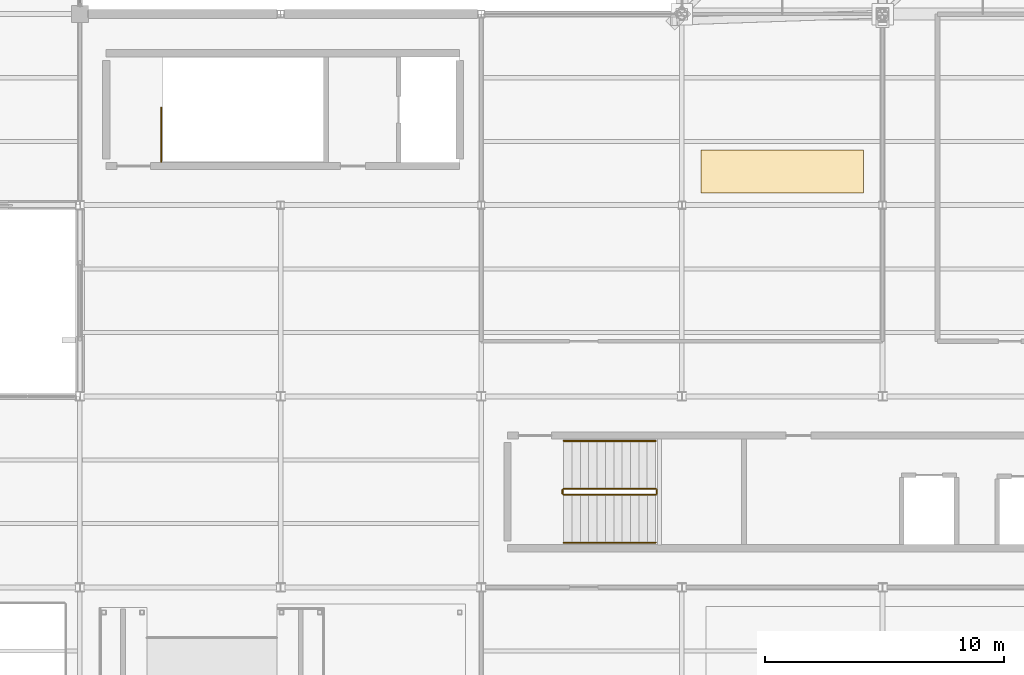
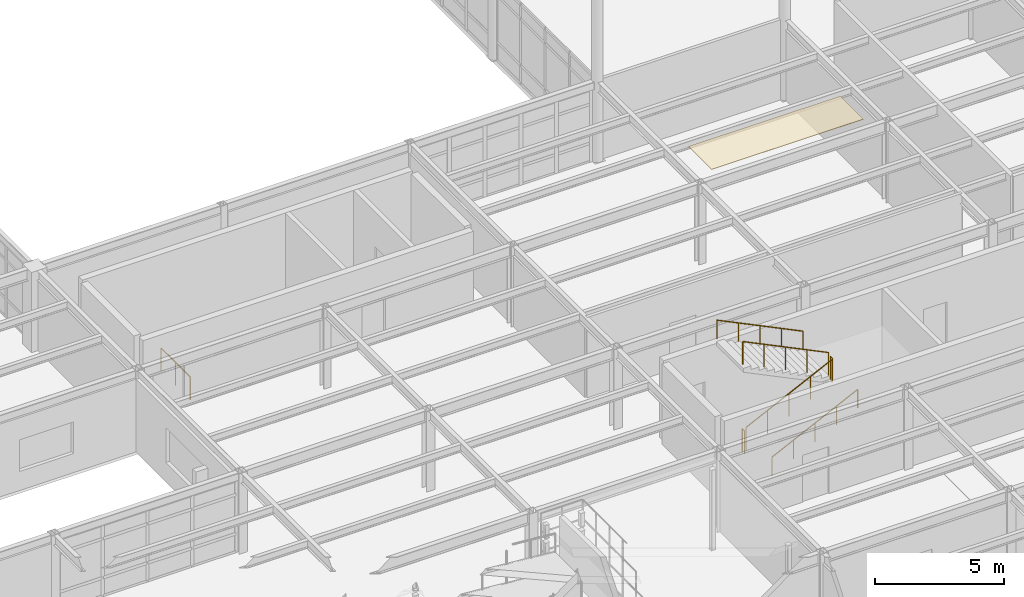
# One storey, part 131 of 138: 7 railings, 1 covering.
"""IFC4 building model written with IfcOpenShell, lengths in metres."""

from ifc_helpers import new_model, si_unit, direction, frame, origin, origin_2d, place, context, subcontext, project, spatial, polyline, circle, outline, extrude, material, layer, layer_set, type_object, element, save


model = new_model("IFC4")

# Units and contexts
model_context = context("Model", 3, precision=1e-05, world=origin(), true_north=direction((0.0, 1.0)))
body_context = subcontext(model_context, "Body", "Model", "MODEL_VIEW")
ifc_project = project(units=[si_unit("LENGTHUNIT", "METRE"), si_unit("AREAUNIT", "SQUARE_METRE"), si_unit("VOLUMEUNIT", "CUBIC_METRE"), si_unit("PLANEANGLEUNIT", "RADIAN"), si_unit("MASSUNIT", "GRAM", prefix="KILO")], contexts=[model_context])

# Site, building, storey
site_placement = place(None, origin())
site = spatial("IfcSite", under=ifc_project, at=site_placement, CompositionType="ELEMENT")
building_placement = place(site_placement, origin())
building = spatial("IfcBuilding", under=site, at=building_placement, Name="Kranzveld Transit Interchange", CompositionType="ELEMENT")
storey_placement = place(building_placement, frame((0.0, 0.0, 5.43994140625)))
storey = spatial("IfcBuildingStorey", under=building, at=storey_placement, Name="L01", CompositionType="ELEMENT", Elevation=5.43994140625)

# Covering
ifc_material_1 = material(Name="Bronze-anodised thermally broken aluminium", Category="aluminium")
ifc_layer = layer(ifc_material_1, 0.02490234375)
ifc_layer_set = layer_set([ifc_layer], Name="Bronze-anodised thermally broken aluminium")
covering_type = type_object("IfcCoveringType", Name="Acoustic Perforated Ceiling Tile 25", PredefinedType="CEILING", material=ifc_layer_set)
covering_placement = place(storey_placement, frame((0.0, 0.0, 3.775146484375)))
element("IfcCovering", 1, at=covering_placement, inside=storey, type_object=covering_type, Name="Waiting Lounge Acoustic Ceiling", PredefinedType="CEILING", context=body_context, shape_type="SweptSolid", body=[
    extrude(outline(polyline([(59.60009765625, 48.5), (66.39990234375, 48.5), (66.39990234375, 50.300048828125), (59.60009765625, 50.300048828125), (59.60009765625, 48.5)])), origin(), (0.0, 0.0, 1.0), 0.02490234375),
])

# Railings
ifc_material_2 = material(Name="Steel S355JR", Category="steel")
railing_type_1 = type_object("IfcRailingType", Name="Stair & Ramp Handrail Steel 900", PredefinedType="HANDRAIL", material=ifc_material_2)
railing_1_placement = place(storey_placement, frame((53.85009765625, 33.8701171875, 0.170166015625)))
element("IfcRailing", 2, at=railing_1_placement, inside=storey, type_object=railing_type_1, Name="L01 ST-M2 stair handrail 1", PredefinedType="HANDRAIL", context=body_context, shape_type="SweptSolid", body=[
    extrude(circle(Radius=0.02392578125, at=origin_2d()), frame((0.0, 0.0, 0.8759765625), z_axis=(0.899513282601, 0.0, 0.436893413117), x_axis=(0.0, 1.0, 0.0)), (0.0, 0.0, 1.0), 4.280029296875),
    extrude(circle(Radius=0.02099609375, at=origin_2d()), origin(), (0.0, 0.0, 1.0), 0.849853515625),
    extrude(circle(Radius=0.02099609375, at=origin_2d()), frame((0.96240234375, 0.0, 0.467529296875)), (0.0, 0.0, 1.0), 0.849853515625),
    extrude(circle(Radius=0.02099609375, at=origin_2d()), frame((1.9248046875, 0.0, 0.93505859375)), (0.0, 0.0, 1.0), 0.849853515625),
    extrude(circle(Radius=0.02099609375, at=origin_2d()), frame((2.887451171875, 0.0, 1.40234375)), (0.0, 0.0, 1.0), 0.849853515625),
    extrude(circle(Radius=0.02099609375, at=origin_2d()), frame((3.849853515625, 0.0, 1.869873046875)), (0.0, 0.0, 1.0), 0.849853515625),
])
railing_2_placement = place(storey_placement, frame((57.699951171875, 38.1298828125, 2.2099609375)))
element("IfcRailing", 3, at=railing_2_placement, inside=storey, type_object=railing_type_1, Name="L01 ST-M2 stair handrail 2", PredefinedType="HANDRAIL", context=body_context, shape_type="SweptSolid", body=[
    extrude(circle(Radius=0.02392578125, at=origin_2d()), frame((0.0, 0.0, 0.8759765625), z_axis=(-0.89949086451, 0.0, 0.436939566374), x_axis=(0.0, -1.0, 0.0)), (0.0, 0.0, 1.0), 4.280029296875),
    extrude(circle(Radius=0.02099609375, at=origin_2d()), origin(), (0.0, 0.0, 1.0), 0.849853515625),
    extrude(circle(Radius=0.02099609375, at=origin_2d()), frame((-0.96240234375, 0.0, 0.467529296875)), (0.0, 0.0, 1.0), 0.849853515625),
    extrude(circle(Radius=0.02099609375, at=origin_2d()), frame((-1.9248046875, 0.0, 0.93505859375)), (0.0, 0.0, 1.0), 0.849853515625),
    extrude(circle(Radius=0.02099609375, at=origin_2d()), frame((-2.887451171875, 0.0, 1.402587890625)), (0.0, 0.0, 1.0), 0.849853515625),
    extrude(circle(Radius=0.02099609375, at=origin_2d()), frame((-3.849853515625, 0.0, 1.8701171875)), (0.0, 0.0, 1.0), 0.849853515625),
])
ifc_material_3 = material(Name="Steel S355JR", Category="steel")
railing_type_2 = type_object("IfcRailingType", Name="Stair Well Guardrail Steel 1100", PredefinedType="GUARDRAIL", material=ifc_material_3)
railing_3_placement = place(storey_placement, frame((37.0, 49.820068359375, 0.0)))
element("IfcRailing", 4, at=railing_3_placement, inside=storey, type_object=railing_type_2, Name="L01 ST-M1 top well guard 1", PredefinedType="GUARDRAIL", context=body_context, shape_type="SweptSolid", body=[
    extrude(circle(Radius=0.02392578125, at=origin_2d()), frame((0.0, 0.0, 1.076171875), z_axis=(0.0, 1.0, 0.0), x_axis=(-1.0, 0.0, 0.0)), (0.0, 0.0, 1.0), 2.260009765625),
    extrude(circle(Radius=0.02099609375, at=origin_2d()), origin(), (0.0, 0.0, 1.0), 1.050048828125),
    extrude(circle(Radius=0.02099609375, at=origin_2d()), frame((0.0, 1.1298828125, 0.0)), (0.0, 0.0, 1.0), 1.050048828125),
    extrude(circle(Radius=0.02099609375, at=origin_2d()), frame((0.0, 2.260009765625, 0.0)), (0.0, 0.0, 1.0), 1.050048828125),
])
railing_4_placement = place(storey_placement, frame((53.85009765625, 35.8701171875, 0.170166015625)))
element("IfcRailing", 5, at=railing_4_placement, inside=storey, type_object=railing_type_2, Name="L01 ST-M2 stair guard 1", PredefinedType="GUARDRAIL", context=body_context, shape_type="SweptSolid", body=[
    extrude(circle(Radius=0.02392578125, at=origin_2d()), frame((0.0, 0.0, 1.076171875), z_axis=(0.899513282601, 0.0, 0.436893413117), x_axis=(0.0, 1.0, 0.0)), (0.0, 0.0, 1.0), 4.280029296875),
    extrude(circle(Radius=0.02099609375, at=origin_2d()), origin(), (0.0, 0.0, 1.0), 1.050048828125),
    extrude(circle(Radius=0.02099609375, at=origin_2d()), frame((0.96240234375, 0.0, 0.467529296875)), (0.0, 0.0, 1.0), 1.050048828125),
    extrude(circle(Radius=0.02099609375, at=origin_2d()), frame((1.9248046875, 0.0, 0.93505859375)), (0.0, 0.0, 1.0), 1.050048828125),
    extrude(circle(Radius=0.02099609375, at=origin_2d()), frame((2.887451171875, 0.0, 1.40234375)), (0.0, 0.0, 1.0), 1.050048828125),
    extrude(circle(Radius=0.02099609375, at=origin_2d()), frame((3.849853515625, 0.0, 1.869873046875)), (0.0, 0.0, 1.0), 1.050048828125),
])
railing_5_placement = place(storey_placement, frame((57.75, 35.919921875, 2.0400390625)))
element("IfcRailing", 6, at=railing_5_placement, inside=storey, type_object=railing_type_2, Name="L01 ST-M2 stair guard 2", PredefinedType="GUARDRAIL", context=body_context, shape_type="SweptSolid", body=[
    extrude(circle(Radius=0.02392578125, at=origin_2d()), frame((0.0, 0.0, 1.076171875), z_axis=(0.0, 1.0, 0.0), x_axis=(-1.0, 0.0, 0.0)), (0.0, 0.0, 1.0), 0.16015625),
    extrude(circle(Radius=0.02099609375, at=origin_2d()), origin(), (0.0, 0.0, 1.0), 1.050048828125),
    extrude(circle(Radius=0.02099609375, at=origin_2d()), frame((0.0, 0.16015625, 0.0)), (0.0, 0.0, 1.0), 1.050048828125),
])
railing_6_placement = place(storey_placement, frame((57.699951171875, 36.1298828125, 2.2099609375)))
element("IfcRailing", 7, at=railing_6_placement, inside=storey, type_object=railing_type_2, Name="L01 ST-M2 stair guard 3", PredefinedType="GUARDRAIL", context=body_context, shape_type="SweptSolid", body=[
    extrude(circle(Radius=0.02392578125, at=origin_2d()), frame((0.0, 0.0, 1.076171875), z_axis=(-0.89949086451, 0.0, 0.436939566374), x_axis=(0.0, -1.0, 0.0)), (0.0, 0.0, 1.0), 4.280029296875),
    extrude(circle(Radius=0.02099609375, at=origin_2d()), origin(), (0.0, 0.0, 1.0), 1.050048828125),
    extrude(circle(Radius=0.02099609375, at=origin_2d()), frame((-0.96240234375, 0.0, 0.467529296875)), (0.0, 0.0, 1.0), 1.050048828125),
    extrude(circle(Radius=0.02099609375, at=origin_2d()), frame((-1.9248046875, 0.0, 0.93505859375)), (0.0, 0.0, 1.0), 1.050048828125),
    extrude(circle(Radius=0.02099609375, at=origin_2d()), frame((-2.887451171875, 0.0, 1.402587890625)), (0.0, 0.0, 1.0), 1.050048828125),
    extrude(circle(Radius=0.02099609375, at=origin_2d()), frame((-3.849853515625, 0.0, 1.8701171875)), (0.0, 0.0, 1.0), 1.050048828125),
])
railing_7_placement = place(storey_placement, frame((53.800048828125, 35.919921875, 0.0)))
element("IfcRailing", 8, at=railing_7_placement, inside=storey, type_object=railing_type_2, Name="L01 ST-M2 stair guard 4", PredefinedType="GUARDRAIL", context=body_context, shape_type="SweptSolid", body=[
    extrude(circle(Radius=0.02392578125, at=origin_2d()), frame((0.0, 0.0, 1.076171875), z_axis=(0.0, 1.0, 0.0), x_axis=(-1.0, 0.0, 0.0)), (0.0, 0.0, 1.0), 0.16015625),
    extrude(circle(Radius=0.02099609375, at=origin_2d()), origin(), (0.0, 0.0, 1.0), 1.050048828125),
    extrude(circle(Radius=0.02099609375, at=origin_2d()), frame((0.0, 0.16015625, 0.0)), (0.0, 0.0, 1.0), 1.050048828125),
])

save(model, "model.ifc")
